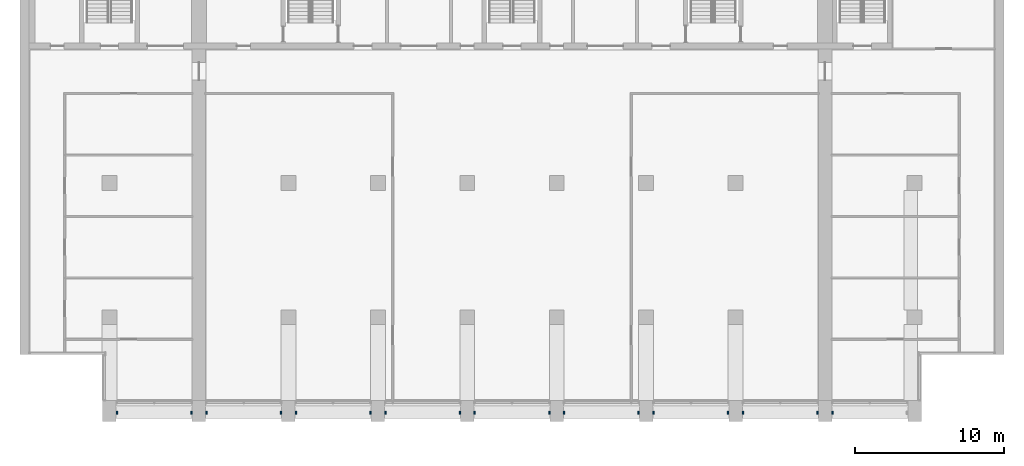
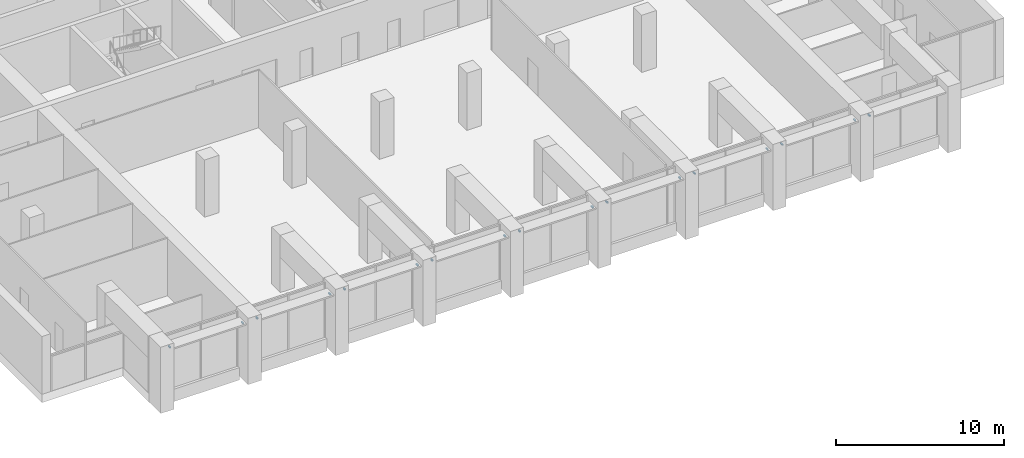
# One storey, part 10 of 13: 17 discrete accessories.
"""IFC4 building model written with IfcOpenShell, lengths in metres."""

from ifc_helpers import new_model, si_unit, direction, frame, origin, origin_2d, place, context, subcontext, project, spatial, rectangle, extrude, element, save


model = new_model("IFC4")

# Units and contexts
model_context = context("Model", 3, precision=1e-05, world=origin(), true_north=direction((0.0, 1.0)))
body_context = subcontext(model_context, "Body", "Model", "MODEL_VIEW")
ifc_project = project(units=[si_unit("LENGTHUNIT", "METRE"), si_unit("AREAUNIT", "SQUARE_METRE"), si_unit("VOLUMEUNIT", "CUBIC_METRE"), si_unit("PLANEANGLEUNIT", "RADIAN"), si_unit("MASSUNIT", "GRAM", prefix="KILO")], contexts=[model_context])

# Site, building, storey
site_placement = place(None, origin())
site = spatial("IfcSite", under=ifc_project, at=site_placement, CompositionType="ELEMENT")
building_placement = place(site_placement, origin())
building = spatial("IfcBuilding", under=site, at=building_placement, Name="Calvaro Tower", CompositionType="ELEMENT")
storey_placement = place(building_placement, frame((0.0, 0.0, 226.75)))
storey = spatial("IfcBuildingStorey", under=building, at=storey_placement, Name="L57", CompositionType="ELEMENT", Elevation=226.75)

# Discrete accessories
for number, where, z_axis, x_axis, name in (
    (1, (12.5, 3.60009765625, 3.5), (0.0, 0.0, 1.0), (1.0, 0.0, 0.0), "Brise-soleil bracket"),
    (2, (17.5, 3.60009765625, 3.5), (0.0, 0.0, 1.0), (1.0, 0.0, 0.0), "Brise-soleil bracket"),
    (3, (18.5, 3.60009765625, 3.5), (0.0, 0.0, 1.0), (1.0, 0.0, 0.0), "Brise-soleil bracket"),
    (4, (23.5, 3.60009765625, 3.5), (0.0, 0.0, 1.0), (1.0, 0.0, 0.0), "Brise-soleil bracket"),
    (5, (24.5, 3.60009765625, 3.5), (0.0, 0.0, 1.0), (1.0, 0.0, 0.0), "Brise-soleil bracket"),
    (6, (29.5, 3.60009765625, 3.5), (0.0, 0.0, 1.0), (1.0, 0.0, 0.0), "Brise-soleil bracket"),
    (7, (30.5, 3.60009765625, 3.5), (0.0, 0.0, 1.0), (1.0, 0.0, 0.0), "Brise-soleil bracket"),
    (8, (35.5, 3.60009765625, 3.5), (0.0, 0.0, 1.0), (1.0, 0.0, 0.0), "Brise-soleil bracket"),
    (9, (36.5, 3.60009765625, 3.5), (0.0, 0.0, 1.0), (1.0, 0.0, 0.0), "Brise-soleil bracket"),
    (10, (41.5, 3.60009765625, 3.5), (0.0, 0.0, 1.0), (1.0, 0.0, 0.0), "Brise-soleil bracket"),
    (11, (42.5, 3.60009765625, 3.5), (0.0, 0.0, 1.0), (1.0, 0.0, 0.0), "Brise-soleil bracket"),
    (12, (47.5, 3.60009765625, 3.5), (0.0, 0.0, 1.0), (1.0, 0.0, 0.0), "Brise-soleil bracket"),
    (13, (48.5, 3.60009765625, 3.5), (0.0, 0.0, 1.0), (1.0, 0.0, 0.0), "Brise-soleil bracket"),
    (14, (53.5, 3.60009765625, 3.5), (0.0, 0.0, 1.0), (1.0, 0.0, 0.0), "Brise-soleil bracket"),
    (15, (54.5, 3.60009765625, 3.5), (0.0, 0.0, 1.0), (1.0, 0.0, 0.0), "Brise-soleil bracket"),
    (16, (59.5, 3.60009765625, 3.5), (0.0, 0.0, 1.0), (1.0, 0.0, 0.0), "Brise-soleil bracket"),
    (17, (60.5, 3.60009765625, 3.5), (0.0, 0.0, 1.0), (1.0, 0.0, 0.0), "Brise-soleil bracket"),
):
    element("IfcDiscreteAccessory", number, at=place(storey_placement, frame(where, z_axis=z_axis, x_axis=x_axis)), inside=storey, Name=name, PredefinedType="BRACKET", context=body_context, shape_type="SweptSolid", body=[
        extrude(rectangle(XDim=0.10009765625, YDim=0.199951171875, at=origin_2d()), origin(), (0.0, 0.0, 1.0), 0.10009765625),
    ])

save(model, "model.ifc")
